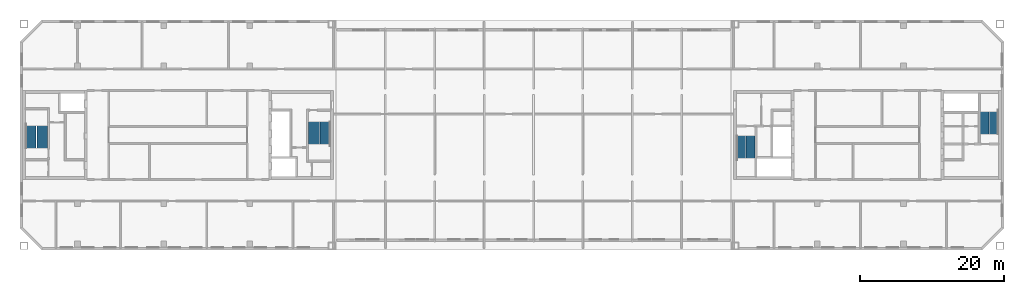
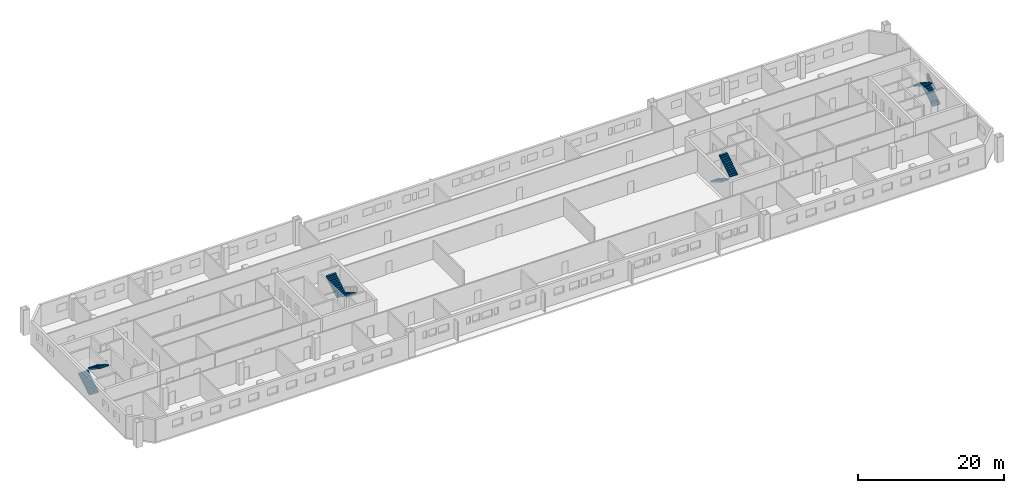
# One storey, part 12 of 13: 8 stair flights, 4 elements without a shape of their own.
"""IFC4 building model written with IfcOpenShell, lengths in metres."""

from ifc_helpers import new_model, si_unit, direction, frame, origin, place, context, subcontext, project, spatial, polyline, outline, extrude, material, type_object, element, aggregate, save


model = new_model("IFC4")

# Units and contexts
model_context = context("Model", 3, precision=1e-05, world=origin(), true_north=direction((0.0, 1.0)))
body_context = subcontext(model_context, "Body", "Model", "MODEL_VIEW")
ifc_project = project(units=[si_unit("LENGTHUNIT", "METRE"), si_unit("AREAUNIT", "SQUARE_METRE"), si_unit("VOLUMEUNIT", "CUBIC_METRE"), si_unit("PLANEANGLEUNIT", "RADIAN"), si_unit("MASSUNIT", "GRAM", prefix="KILO")], contexts=[model_context])

# Site, building, storey
site_placement = place(None, origin())
site = spatial("IfcSite", under=ifc_project, at=site_placement, CompositionType="ELEMENT")
building_placement = place(site_placement, origin())
building = spatial("IfcBuilding", under=site, at=building_placement, Name="Tuart Gate Housing", CompositionType="ELEMENT")
storey_placement = place(building_placement, frame((0.0, 0.0, 198.60009765625)))
storey = spatial("IfcBuildingStorey", under=building, at=storey_placement, Name="L56", CompositionType="ELEMENT", Elevation=198.60009765625)

# Stair, stair flights
ifc_material_1 = material(Name="Concrete C40", Category="concrete")
stair_type_1 = type_object("IfcStairType", Name="Core stair 1250", PredefinedType="HALF_TURN_STAIR", material=ifc_material_1)
stair_1_placement = place(storey_placement, origin())
stair_1 = element("IfcStair", 1, at=stair_1_placement, inside=storey, type_object=stair_type_1, Name="Stair SB1", PredefinedType="HALF_TURN_STAIR")
ifc_material_2 = material(Name="Concrete C40", Category="concrete")
stair_flight_type_1 = type_object("IfcStairFlightType", Name="Stair flight 1250, 12 risers 175 x 280", PredefinedType="STRAIGHT", material=ifc_material_2)
stair_flight_1_placement = place(storey_placement, frame((132.385009765625, 69.875, 0.0), z_axis=(0.0, 0.0, 1.0), x_axis=(0.0, -1.0, 0.0)))
stair_flight_1 = element("IfcStairFlight", 2, at=stair_flight_1_placement, type_object=stair_flight_type_1, Name="SB1 flight 1", NumberOfRisers=12, NumberOfTreads=11, PredefinedType="STRAIGHT", RiserHeight=0.175, TreadLength=0.28, context=body_context, shape_type="SweptSolid", body=[
    extrude(outline(polyline([(0.0, 0.0), (0.0, 0.175048828125), (0.280029296875, 0.175048828125), (0.280029296875, 0.35009765625), (0.56005859375, 0.35009765625), (0.56005859375, 0.52490234375), (0.840087890625, 0.52490234375), (0.840087890625, 0.699951171875), (1.1201171875, 0.699951171875), (1.1201171875, 0.875), (1.39990234375, 0.875), (1.39990234375, 1.050048828125), (1.679931640625, 1.050048828125), (1.679931640625, 1.22509765625), (1.9599609375, 1.22509765625), (1.9599609375, 1.39990234375), (2.239990234375, 1.39990234375), (2.239990234375, 1.574951171875), (2.52001953125, 1.574951171875), (2.52001953125, 1.75), (2.800048828125, 1.75), (2.800048828125, 1.925048828125), (3.080078125, 1.925048828125), (3.080078125, 2.10009765625), (3.080078125, 1.748291015625), (0.28271484375, 0.0), (0.0, 0.0)])), frame((0.0, 0.625, 0.0), z_axis=(0.0, -1.0, 0.0), x_axis=(1.0, 0.0, 0.0)), (0.0, 0.0, 1.0), 1.25),
])
stair_flight_2_placement = place(storey_placement, frame((133.7099609375, 66.794921875, 2.099853515625), z_axis=(0.0, 0.0, 1.0), x_axis=(0.0, 1.0, 0.0)))
stair_flight_2 = element("IfcStairFlight", 3, at=stair_flight_2_placement, type_object=stair_flight_type_1, Name="SB1 flight 2", NumberOfRisers=12, NumberOfTreads=11, PredefinedType="STRAIGHT", RiserHeight=0.175, TreadLength=0.28, context=body_context, shape_type="SweptSolid", body=[
    extrude(outline(polyline([(0.0, 0.0), (0.0, 0.175048828125), (0.280029296875, 0.175048828125), (0.280029296875, 0.35009765625), (0.56005859375, 0.35009765625), (0.56005859375, 0.52490234375), (0.840087890625, 0.52490234375), (0.840087890625, 0.699951171875), (1.1201171875, 0.699951171875), (1.1201171875, 0.875), (1.39990234375, 0.875), (1.39990234375, 1.050048828125), (1.679931640625, 1.050048828125), (1.679931640625, 1.22509765625), (1.9599609375, 1.22509765625), (1.9599609375, 1.39990234375), (2.239990234375, 1.39990234375), (2.239990234375, 1.574951171875), (2.52001953125, 1.574951171875), (2.52001953125, 1.75), (2.800048828125, 1.75), (2.800048828125, 1.925048828125), (3.080078125, 1.925048828125), (3.080078125, 2.10009765625), (3.080078125, 1.748291015625), (0.28271484375, 0.0), (0.0, 0.0)])), frame((0.0, 0.625, 0.0), z_axis=(0.0, -1.0, 0.0), x_axis=(1.0, 0.0, 0.0)), (0.0, 0.0, 1.0), 1.25),
])
aggregate(stair_1, [stair_flight_1, stair_flight_2])

stair_2_placement = place(storey_placement, origin())
stair_2 = element("IfcStair", 4, at=stair_2_placement, inside=storey, type_object=stair_type_1, Name="Stair SB2", PredefinedType="HALF_TURN_STAIR")
stair_flight_3_placement = place(storey_placement, frame((167.614990234375, 70.125, 0.0), z_axis=(0.0, 0.0, 1.0), x_axis=(0.0, 1.0, 0.0)))
stair_flight_3 = element("IfcStairFlight", 5, at=stair_flight_3_placement, type_object=stair_flight_type_1, Name="SB2 flight 1", NumberOfRisers=12, NumberOfTreads=11, PredefinedType="STRAIGHT", RiserHeight=0.175, TreadLength=0.28, context=body_context, shape_type="SweptSolid", body=[
    extrude(outline(polyline([(0.0, 0.0), (0.0, 0.175048828125), (0.280029296875, 0.175048828125), (0.280029296875, 0.35009765625), (0.56005859375, 0.35009765625), (0.56005859375, 0.52490234375), (0.840087890625, 0.52490234375), (0.840087890625, 0.699951171875), (1.1201171875, 0.699951171875), (1.1201171875, 0.875), (1.39990234375, 0.875), (1.39990234375, 1.050048828125), (1.679931640625, 1.050048828125), (1.679931640625, 1.22509765625), (1.9599609375, 1.22509765625), (1.9599609375, 1.39990234375), (2.239990234375, 1.39990234375), (2.239990234375, 1.574951171875), (2.52001953125, 1.574951171875), (2.52001953125, 1.75), (2.800048828125, 1.75), (2.800048828125, 1.925048828125), (3.080078125, 1.925048828125), (3.080078125, 2.10009765625), (3.080078125, 1.748291015625), (0.28271484375, 0.0), (0.0, 0.0)])), frame((0.0, 0.625, 0.0), z_axis=(0.0, -1.0, 0.0), x_axis=(1.0, 0.0, 0.0)), (0.0, 0.0, 1.0), 1.25),
])
stair_flight_4_placement = place(storey_placement, frame((166.2900390625, 73.205078125, 2.099853515625), z_axis=(0.0, 0.0, 1.0), x_axis=(0.0, -1.0, 0.0)))
stair_flight_4 = element("IfcStairFlight", 6, at=stair_flight_4_placement, type_object=stair_flight_type_1, Name="SB2 flight 2", NumberOfRisers=12, NumberOfTreads=11, PredefinedType="STRAIGHT", RiserHeight=0.175, TreadLength=0.28, context=body_context, shape_type="SweptSolid", body=[
    extrude(outline(polyline([(0.0, 0.0), (0.0, 0.175048828125), (0.280029296875, 0.175048828125), (0.280029296875, 0.35009765625), (0.56005859375, 0.35009765625), (0.56005859375, 0.52490234375), (0.840087890625, 0.52490234375), (0.840087890625, 0.699951171875), (1.1201171875, 0.699951171875), (1.1201171875, 0.875), (1.39990234375, 0.875), (1.39990234375, 1.050048828125), (1.679931640625, 1.050048828125), (1.679931640625, 1.22509765625), (1.9599609375, 1.22509765625), (1.9599609375, 1.39990234375), (2.239990234375, 1.39990234375), (2.239990234375, 1.574951171875), (2.52001953125, 1.574951171875), (2.52001953125, 1.75), (2.800048828125, 1.75), (2.800048828125, 1.925048828125), (3.080078125, 1.925048828125), (3.080078125, 2.10009765625), (3.080078125, 1.748291015625), (0.28271484375, 0.0), (0.0, 0.0)])), frame((0.0, 0.625, 0.0), z_axis=(0.0, -1.0, 0.0), x_axis=(1.0, 0.0, 0.0)), (0.0, 0.0, 1.0), 1.25),
])
aggregate(stair_2, [stair_flight_3, stair_flight_4])

ifc_material_3 = material(Name="Concrete C40", Category="concrete")
stair_type_2 = type_object("IfcStairType", Name="Core stair 1500", PredefinedType="HALF_TURN_STAIR", material=ifc_material_3)
stair_3_placement = place(storey_placement, origin())
stair_3 = element("IfcStair", 7, at=stair_3_placement, inside=storey, type_object=stair_type_2, Name="Stair SA1", PredefinedType="HALF_TURN_STAIR")
ifc_material_4 = material(Name="Concrete C40", Category="concrete")
stair_flight_type_2 = type_object("IfcStairFlightType", Name="Stair flight 1500, 12 risers 175 x 280", PredefinedType="STRAIGHT", material=ifc_material_4)
stair_flight_5_placement = place(storey_placement, frame((74.489990234375, 71.824951171875, 0.0), z_axis=(0.0, 0.0, 1.0), x_axis=(0.0, -1.0, 0.0)))
stair_flight_5 = element("IfcStairFlight", 8, at=stair_flight_5_placement, type_object=stair_flight_type_2, Name="SA1 flight 1", NumberOfRisers=12, NumberOfTreads=11, PredefinedType="STRAIGHT", RiserHeight=0.175, TreadLength=0.28, context=body_context, shape_type="SweptSolid", body=[
    extrude(outline(polyline([(0.0, 0.0), (0.0, 0.175048828125), (0.280029296875, 0.175048828125), (0.280029296875, 0.35009765625), (0.56005859375, 0.35009765625), (0.56005859375, 0.52490234375), (0.840087890625, 0.52490234375), (0.840087890625, 0.699951171875), (1.1201171875, 0.699951171875), (1.1201171875, 0.875), (1.39990234375, 0.875), (1.39990234375, 1.050048828125), (1.679931640625, 1.050048828125), (1.679931640625, 1.22509765625), (1.9599609375, 1.22509765625), (1.9599609375, 1.39990234375), (2.239990234375, 1.39990234375), (2.239990234375, 1.574951171875), (2.52001953125, 1.574951171875), (2.52001953125, 1.75), (2.800048828125, 1.75), (2.800048828125, 1.925048828125), (3.080078125, 1.925048828125), (3.080078125, 2.10009765625), (3.080078125, 1.748291015625), (0.28271484375, 0.0), (0.0, 0.0)])), frame((0.0, 0.75, 0.0), z_axis=(0.0, -1.0, 0.0), x_axis=(1.0, 0.0, 0.0)), (0.0, 0.0, 1.0), 1.5),
])
stair_flight_6_placement = place(storey_placement, frame((72.9150390625, 68.7451171875, 2.099853515625), z_axis=(0.0, 0.0, 1.0), x_axis=(0.0, 1.0, 0.0)))
stair_flight_6 = element("IfcStairFlight", 9, at=stair_flight_6_placement, type_object=stair_flight_type_2, Name="SA1 flight 2", NumberOfRisers=12, NumberOfTreads=11, PredefinedType="STRAIGHT", RiserHeight=0.175, TreadLength=0.28, context=body_context, shape_type="SweptSolid", body=[
    extrude(outline(polyline([(0.0, 0.0), (0.0, 0.175048828125), (0.280029296875, 0.175048828125), (0.280029296875, 0.35009765625), (0.56005859375, 0.35009765625), (0.56005859375, 0.52490234375), (0.840087890625, 0.52490234375), (0.840087890625, 0.699951171875), (1.1201171875, 0.699951171875), (1.1201171875, 0.875), (1.39990234375, 0.875), (1.39990234375, 1.050048828125), (1.679931640625, 1.050048828125), (1.679931640625, 1.22509765625), (1.9599609375, 1.22509765625), (1.9599609375, 1.39990234375), (2.239990234375, 1.39990234375), (2.239990234375, 1.574951171875), (2.52001953125, 1.574951171875), (2.52001953125, 1.75), (2.800048828125, 1.75), (2.800048828125, 1.925048828125), (3.080078125, 1.925048828125), (3.080078125, 2.10009765625), (3.080078125, 1.748291015625), (0.28271484375, 0.0), (0.0, 0.0)])), frame((0.0, 0.75, 0.0), z_axis=(0.0, -1.0, 0.0), x_axis=(1.0, 0.0, 0.0)), (0.0, 0.0, 1.0), 1.5),
])
aggregate(stair_3, [stair_flight_5, stair_flight_6])

stair_4_placement = place(storey_placement, origin())
stair_4 = element("IfcStair", 10, at=stair_4_placement, inside=storey, type_object=stair_type_2, Name="Stair SA2", PredefinedType="HALF_TURN_STAIR")
stair_flight_7_placement = place(storey_placement, frame((33.510009765625, 68.175048828125, 0.0), z_axis=(0.0, 0.0, 1.0), x_axis=(0.0, 1.0, 0.0)))
stair_flight_7 = element("IfcStairFlight", 11, at=stair_flight_7_placement, type_object=stair_flight_type_2, Name="SA2 flight 1", NumberOfRisers=12, NumberOfTreads=11, PredefinedType="STRAIGHT", RiserHeight=0.175, TreadLength=0.28, context=body_context, shape_type="SweptSolid", body=[
    extrude(outline(polyline([(0.0, 0.0), (0.0, 0.175048828125), (0.280029296875, 0.175048828125), (0.280029296875, 0.35009765625), (0.56005859375, 0.35009765625), (0.56005859375, 0.52490234375), (0.840087890625, 0.52490234375), (0.840087890625, 0.699951171875), (1.1201171875, 0.699951171875), (1.1201171875, 0.875), (1.39990234375, 0.875), (1.39990234375, 1.050048828125), (1.679931640625, 1.050048828125), (1.679931640625, 1.22509765625), (1.9599609375, 1.22509765625), (1.9599609375, 1.39990234375), (2.239990234375, 1.39990234375), (2.239990234375, 1.574951171875), (2.52001953125, 1.574951171875), (2.52001953125, 1.75), (2.800048828125, 1.75), (2.800048828125, 1.925048828125), (3.080078125, 1.925048828125), (3.080078125, 2.10009765625), (3.080078125, 1.748291015625), (0.28271484375, 0.0), (0.0, 0.0)])), frame((0.0, 0.75, 0.0), z_axis=(0.0, -1.0, 0.0), x_axis=(1.0, 0.0, 0.0)), (0.0, 0.0, 1.0), 1.5),
])
stair_flight_8_placement = place(storey_placement, frame((35.0849609375, 71.2548828125, 2.099853515625), z_axis=(0.0, 0.0, 1.0), x_axis=(0.0, -1.0, 0.0)))
stair_flight_8 = element("IfcStairFlight", 12, at=stair_flight_8_placement, type_object=stair_flight_type_2, Name="SA2 flight 2", NumberOfRisers=12, NumberOfTreads=11, PredefinedType="STRAIGHT", RiserHeight=0.175, TreadLength=0.28, context=body_context, shape_type="SweptSolid", body=[
    extrude(outline(polyline([(0.0, 0.0), (0.0, 0.175048828125), (0.280029296875, 0.175048828125), (0.280029296875, 0.35009765625), (0.56005859375, 0.35009765625), (0.56005859375, 0.52490234375), (0.840087890625, 0.52490234375), (0.840087890625, 0.699951171875), (1.1201171875, 0.699951171875), (1.1201171875, 0.875), (1.39990234375, 0.875), (1.39990234375, 1.050048828125), (1.679931640625, 1.050048828125), (1.679931640625, 1.22509765625), (1.9599609375, 1.22509765625), (1.9599609375, 1.39990234375), (2.239990234375, 1.39990234375), (2.239990234375, 1.574951171875), (2.52001953125, 1.574951171875), (2.52001953125, 1.75), (2.800048828125, 1.75), (2.800048828125, 1.925048828125), (3.080078125, 1.925048828125), (3.080078125, 2.10009765625), (3.080078125, 1.748291015625), (0.28271484375, 0.0), (0.0, 0.0)])), frame((0.0, 0.75, 0.0), z_axis=(0.0, -1.0, 0.0), x_axis=(1.0, 0.0, 0.0)), (0.0, 0.0, 1.0), 1.5),
])
aggregate(stair_4, [stair_flight_7, stair_flight_8])

save(model, "model.ifc")
